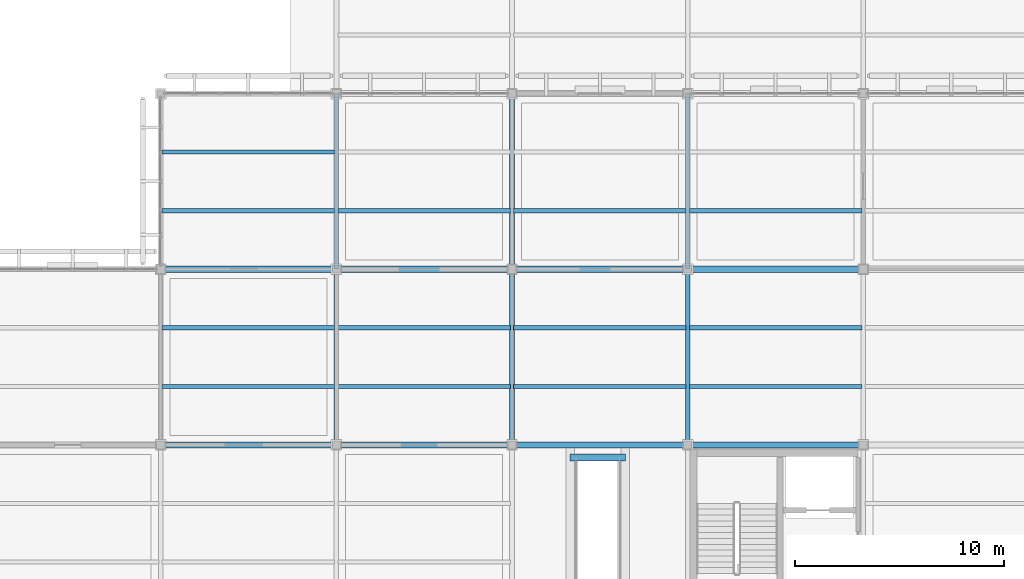
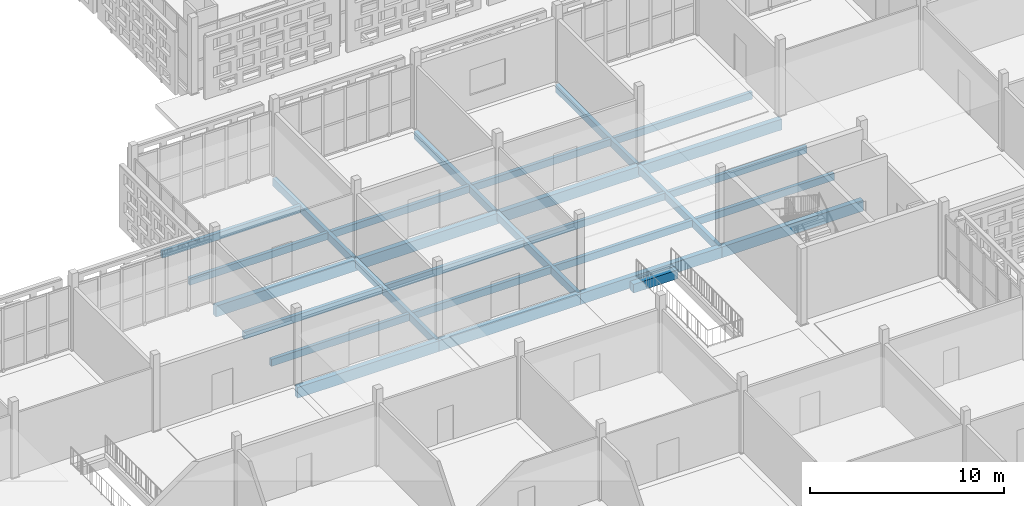
# One storey, part 71 of 203: 28 beams.
"""IFC4 building model written with IfcOpenShell, lengths in metres."""

import ifcopenshell
import ifcopenshell.guid

model = None  # the IFC model being written
_history = None  # IfcOwnerHistory: only IFC2X3 demands one
_inside = {}  # id of a spatial element -> (the spatial element, [elements in it])
_under = {}  # id of a project, library or spatial element -> (it, [spatial elements below it])
_declared = {}  # id of a project -> (the project, [libraries it declares])
_typed = {}  # id of a type object -> (the type object, [elements of that type])
_made_of = {}  # id of a material, layer set ... -> (it, [elements and type objects made of it])


def new_model(schema):
    """Start an empty IFC model of exactly this schema.

    Asked for "IFC4X3", IfcOpenShell would pick the latest addendum, in which some entities
    have other attributes; the version numbers below select the first issue.
    IFC2X3 requires an IfcOwnerHistory on every rooted entity: one is made here for all.
    """
    global model, _history
    if schema == "IFC4X3":
        model = ifcopenshell.file(schema_version=(4, 3, 0, 0))
    else:
        model = ifcopenshell.file(schema=schema)
    _inside.clear()
    _under.clear()
    _declared.clear()
    _typed.clear()
    _made_of.clear()
    _history = None
    if model.schema == "IFC2X3":
        org = make("IfcOrganization", Name="unknown")
        user = make(
            "IfcPersonAndOrganization",
            ThePerson=make("IfcPerson", FamilyName="unknown"),
            TheOrganization=org,
        )
        app = make(
            "IfcApplication",
            ApplicationDeveloper=org,
            Version="unknown",
            ApplicationFullName="unknown",
            ApplicationIdentifier="unknown",
        )
        _history = make(
            "IfcOwnerHistory",
            OwningUser=user,
            OwningApplication=app,
            ChangeAction="ADDED",
            CreationDate=0,
        )
    return model


def make(cls, **values):
    """One entity of the class cls with the attributes given. An attribute that is None is left unset."""
    return model.create_entity(
        cls, **{name: value for name, value in values.items() if value is not None}
    )


def rooted(cls, **values):
    """An entity with a GlobalId (a new one), such as an element, a storey or a relation."""
    return make(cls, GlobalId=ifcopenshell.guid.new(), OwnerHistory=_history, **values)


def si_unit(unit_type, name, prefix=None):
    """IfcSIUnit, for example si_unit("LENGTHUNIT", "METRE", prefix="MILLI")."""
    return make("IfcSIUnit", UnitType=unit_type, Prefix=prefix, Name=name)


def assignment(units):
    """IfcUnitAssignment: the units of a project."""
    return None if units is None else make("IfcUnitAssignment", Units=units)


def point(xyz):
    """IfcCartesianPoint."""
    return None if xyz is None else make("IfcCartesianPoint", Coordinates=xyz)


def direction(xyz):
    """IfcDirection."""
    return None if xyz is None else make("IfcDirection", DirectionRatios=xyz)


def frame(location, z_axis=None, x_axis=None):
    """IfcAxis2Placement3D, a coordinate frame: its origin and axes. An axis left out is left unset."""
    return make(
        "IfcAxis2Placement3D",
        Location=point(location),
        Axis=direction(z_axis),
        RefDirection=direction(x_axis),
    )


def frame_2d(location, x_axis=None):
    """IfcAxis2Placement2D, a coordinate frame in the plane: its origin and x axis."""
    return make(
        "IfcAxis2Placement2D", Location=point(location), RefDirection=direction(x_axis)
    )


def origin():
    """The frame at (0, 0, 0) with its axes left unset."""
    return frame((0.0, 0.0, 0.0))


def origin_2d():
    """The frame at (0, 0) in the plane with its x axis left unset."""
    return frame_2d((0.0, 0.0))


def place(relative_to, where):
    """IfcLocalPlacement: puts the frame where relative to a parent placement (None: the world)."""
    return make(
        "IfcLocalPlacement", PlacementRelTo=relative_to, RelativePlacement=where
    )


def context(
    kind, dimensions, precision=None, world=None, true_north=None, identifier=None
):
    """IfcGeometricRepresentationContext, for example the 3D "Model" context."""
    return make(
        "IfcGeometricRepresentationContext",
        ContextIdentifier=identifier,
        ContextType=kind,
        CoordinateSpaceDimension=dimensions,
        Precision=precision,
        WorldCoordinateSystem=world,
        TrueNorth=true_north,
    )


def subcontext(parent, identifier, kind, view, scale=None):
    """IfcGeometricRepresentationSubContext, for example "Body" below "Model"."""
    return make(
        "IfcGeometricRepresentationSubContext",
        ContextIdentifier=identifier,
        ContextType=kind,
        ParentContext=parent,
        TargetScale=scale,
        TargetView=view,
    )


def project(units=None, contexts=None):
    """IfcProject with its units and contexts."""
    return rooted(
        "IfcProject",
        Name="project",
        RepresentationContexts=contexts,
        UnitsInContext=assignment(units),
    )


def spatial(cls, under=None, at=None, **own):
    """A site, building, storey or space (cls), placed at a placement, below another one or the project."""
    s = rooted(cls, ObjectPlacement=at, **own)
    if under is not None:
        _under.setdefault(under.id(), (under, []))[1].append(s)
    return s


def profile(cls, at=None, kind="AREA", **sizes):
    """A parametric profile (cls). Its sizes go by their IFC names, for example OverallWidth=200.0."""
    return make(cls, ProfileType=kind, Position=at, **sizes)


def rectangle(**sizes):
    """IfcRectangleProfileDef."""
    return profile("IfcRectangleProfileDef", **sizes)


def extrude(swept, where, along, depth):
    """IfcExtrudedAreaSolid: the profile swept, set in the frame where, extruded along a direction by depth."""
    return make(
        "IfcExtrudedAreaSolid",
        SweptArea=swept,
        Position=where,
        ExtrudedDirection=direction(along),
        Depth=depth,
    )


def shape(context_of_items, identifier, shape_type, items):
    """IfcShapeRepresentation: the items that make up one representation, for example the "Body"."""
    return make(
        "IfcShapeRepresentation",
        ContextOfItems=context_of_items,
        RepresentationIdentifier=identifier,
        RepresentationType=shape_type,
        Items=items,
    )


def material(Name=None, Category=None):
    """IfcMaterial."""
    return make("IfcMaterial", Name=Name, Category=Category)


def material_profile(
    of_material, cross_section, Name=None, Category=None, Priority=None
):
    """IfcMaterialProfile: a cross section and its material."""
    return make(
        "IfcMaterialProfile",
        Name=Name,
        Material=of_material,
        Profile=cross_section,
        Priority=Priority,
        Category=Category,
    )


def profile_set(profiles, Name=None, composite=None):
    """IfcMaterialProfileSet."""
    return make(
        "IfcMaterialProfileSet",
        Name=Name,
        MaterialProfiles=profiles,
        CompositeProfile=composite,
    )


def made_of(thing, what):
    """Note that an element or type object is made of a material, layer set ...; save() writes the relation."""
    if what is not None:
        _made_of.setdefault(what.id(), (what, []))[1].append(thing)
    return thing


def type_object(cls, material=None, **own):
    """A type object (cls), such as IfcWallType, which elements share."""
    return made_of(rooted(cls, **own), material)


def element(
    cls,
    number,
    at=None,
    inside=None,
    cuts=None,
    type_object=None,
    material=None,
    context=None,
    identifier="Body",
    shape_type=None,
    held_by="IfcProductDefinitionShape",
    body=None,
    shapes=None,
    **own,
):
    """One element of the class cls, such as IfcWall. Its Tag is "e" and its number.

    at: its placement. inside: the storey or other place that contains it. cuts: it is an
    opening in that element (IfcRelVoidsElement). A single representation is given by context,
    identifier, shape_type and body (its items); several are given by shapes. held_by: the class
    of the entity that holds the representations. save() writes the other relations.
    """
    e = rooted(cls, Tag="e%d" % number, ObjectPlacement=at, **own)
    if body is not None:
        shapes = [shape(context, identifier, shape_type, body)]
    if shapes is not None:
        e.Representation = make(held_by, Representations=shapes)
    if inside is not None:
        _inside.setdefault(inside.id(), (inside, []))[1].append(e)
    if cuts is not None:
        rooted(
            "IfcRelVoidsElement", RelatingBuildingElement=cuts, RelatedOpeningElement=e
        )
    if type_object is not None:
        _typed.setdefault(type_object.id(), (type_object, []))[1].append(e)
    return made_of(e, material)


def aggregate(whole, parts):
    """IfcRelAggregates: a whole, such as a stair, and the parts it consists of."""
    return rooted("IfcRelAggregates", RelatingObject=whole, RelatedObjects=parts)


def save(model, path):
    """Write the relations noted so far, then the file.

    IfcRelAggregates (storeys below a building ...), IfcRelContainedInSpatialStructure (elements
    in a storey), IfcRelDefinesByType, IfcRelAssociatesMaterial and IfcRelDeclares: one each for
    every whole, place, type object, material and project.
    """
    for whole, parts in _under.values():
        aggregate(whole, parts)
    for where, things in _inside.values():
        rooted(
            "IfcRelContainedInSpatialStructure",
            RelatedElements=things,
            RelatingStructure=where,
        )
    for kind, things in _typed.values():
        rooted("IfcRelDefinesByType", RelatedObjects=things, RelatingType=kind)
    for what, things in _made_of.values():
        rooted("IfcRelAssociatesMaterial", RelatedObjects=things, RelatingMaterial=what)
    for by, libraries in _declared.values():
        rooted("IfcRelDeclares", RelatingContext=by, RelatedDefinitions=libraries)
    model.write(path)


model = new_model("IFC4")

# Units and contexts
model_context = context("Model", 3, precision=1e-05, world=origin(), true_north=direction((0.0, 1.0)))
body_context = subcontext(model_context, "Body", "Model", "MODEL_VIEW")
ifc_project = project(units=[si_unit("LENGTHUNIT", "METRE"), si_unit("AREAUNIT", "SQUARE_METRE"), si_unit("VOLUMEUNIT", "CUBIC_METRE"), si_unit("PLANEANGLEUNIT", "RADIAN"), si_unit("MASSUNIT", "GRAM", prefix="KILO")], contexts=[model_context])

# Site, building, storey
site_placement = place(None, origin())
site = spatial("IfcSite", under=ifc_project, at=site_placement, CompositionType="ELEMENT")
building_placement = place(site_placement, origin())
building = spatial("IfcBuilding", under=site, at=building_placement, Name="Varnapada Polytechnic", CompositionType="ELEMENT")
storey_placement = place(building_placement, frame((0.0, 0.0, 4.800048828125)))
storey = spatial("IfcBuildingStorey", under=building, at=storey_placement, Name="L01", CompositionType="ELEMENT", Elevation=4.800048828125)

# Beams
ifc_material_1 = material(Name="Concrete C40/50", Category="concrete")
ifc_material_profile_1 = material_profile(ifc_material_1, rectangle(XDim=0.35009765625, YDim=0.550048828125, at=origin_2d()), Name="RC 350x550")
ifc_profile_set_1 = profile_set([ifc_material_profile_1], Name="Concrete C40/50")
beam_type_1 = type_object("IfcBeamType", Name="Concrete podium spandrel beam SP-01 (RC 350x550)", PredefinedType="SPANDREL", material=ifc_profile_set_1)
beam_placement = place(storey_placement, frame((145.580078125, 33.0, -0.53515625), z_axis=(1.0, 0.0, 0.0), x_axis=(0.0, 1.0, 0.0)))
element("IfcBeam", 1, at=beam_placement, inside=storey, type_object=beam_type_1, Name="L01 feature stair ST-F2 arrival beam", PredefinedType="SPANDREL", context=body_context, shape_type="SweptSolid", body=[
    extrude(rectangle(XDim=0.35009765625, YDim=0.550048828125, at=origin_2d()), origin(), (0.0, 0.0, 1.0), 2.639892578125),
])
ifc_material_2 = material(Name="Glulam GL32h", Category="wood")
ifc_material_profile_2 = material_profile(ifc_material_2, rectangle(XDim=0.199951171875, YDim=0.43994140625, at=origin_2d()), Name="GL 200x440")
ifc_profile_set_2 = profile_set([ifc_material_profile_2], Name="Glulam GL32h")
beam_type_2 = type_object("IfcBeamType", Name="Heavy laboratory glulam joist GJ-03 (GL 200x440)", PredefinedType="JOIST", material=ifc_profile_set_2)
for number, where, z_axis, x_axis, name in (
    (2, (126.080078125, 36.39990234375, -0.469970703125), (1.0, 0.0, 0.0), (0.0, 1.0, 0.0), "L01 floor joist 16/5.1"),
    (3, (126.080078125, 39.199951171875, -0.469970703125), (1.0, 0.0, 0.0), (0.0, 1.0, 0.0), "L01 floor joist 16/5.2"),
    (4, (126.080078125, 44.800048828125, -0.469970703125), (1.0, 0.0, 0.0), (0.0, 1.0, 0.0), "L01 floor joist 16/6.1"),
    (5, (126.080078125, 47.60009765625, -0.469970703125), (1.0, 0.0, 0.0), (0.0, 1.0, 0.0), "L01 floor joist 16/6.2"),
    (6, (134.47998046875, 36.39990234375, -0.469970703125), (1.0, 0.0, 0.0), (0.0, 1.0, 0.0), "L01 floor joist 17/5.1"),
    (7, (134.47998046875, 39.199951171875, -0.469970703125), (1.0, 0.0, 0.0), (0.0, 1.0, 0.0), "L01 floor joist 17/5.2"),
    (8, (134.47998046875, 44.800048828125, -0.469970703125), (1.0, 0.0, 0.0), (0.0, 1.0, 0.0), "L01 floor joist 17/6.1"),
):
    element("IfcBeam", number, at=place(storey_placement, frame(where, z_axis=z_axis, x_axis=x_axis)), inside=storey, type_object=beam_type_2, Name=name, PredefinedType="JOIST", context=body_context, shape_type="SweptSolid", body=[
        extrude(rectangle(XDim=0.199951171875, YDim=0.43994140625, at=origin_2d()), origin(), (0.0, 0.0, 1.0), 8.239990234375),
    ])
for number, where, z_axis, x_axis, name in (
    (9, (142.8798828125, 36.39990234375, -0.469970703125), (1.0, 0.0, 0.0), (0.0, 1.0, 0.0), "L01 floor joist 18/5.1"),
    (10, (142.8798828125, 39.199951171875, -0.469970703125), (1.0, 0.0, 0.0), (0.0, 1.0, 0.0), "L01 floor joist 18/5.2"),
    (11, (142.8798828125, 44.800048828125, -0.469970703125), (1.0, 0.0, 0.0), (0.0, 1.0, 0.0), "L01 floor joist 18/6.1"),
):
    element("IfcBeam", number, at=place(storey_placement, frame(where, z_axis=z_axis, x_axis=x_axis)), inside=storey, type_object=beam_type_2, Name=name, PredefinedType="JOIST", context=body_context, shape_type="SweptSolid", body=[
        extrude(rectangle(XDim=0.199951171875, YDim=0.43994140625, at=origin_2d()), origin(), (0.0, 0.0, 1.0), 8.240234375),
    ])
for number, where, z_axis, x_axis, name in (
    (12, (151.280029296875, 36.39990234375, -0.469970703125), (1.0, 0.0, 0.0), (0.0, 1.0, 0.0), "L01 floor joist 19/5.1"),
    (13, (151.280029296875, 39.199951171875, -0.469970703125), (1.0, 0.0, 0.0), (0.0, 1.0, 0.0), "L01 floor joist 19/5.2"),
    (14, (151.280029296875, 44.800048828125, -0.469970703125), (1.0, 0.0, 0.0), (0.0, 1.0, 0.0), "L01 floor joist 19/6.1"),
):
    element("IfcBeam", number, at=place(storey_placement, frame(where, z_axis=z_axis, x_axis=x_axis)), inside=storey, type_object=beam_type_2, Name=name, PredefinedType="JOIST", context=body_context, shape_type="SweptSolid", body=[
        extrude(rectangle(XDim=0.199951171875, YDim=0.43994140625, at=origin_2d()), origin(), (0.0, 0.0, 1.0), 8.239990234375),
    ])
ifc_material_profile_3 = material_profile(ifc_material_2, rectangle(XDim=0.219970703125, YDim=0.47998046875, at=origin_2d()), Name="GL 220x480")
ifc_profile_set_3 = profile_set([ifc_material_profile_3], Name="Glulam GL32h")
beam_type_3 = type_object("IfcBeamType", Name="Upper floor glulam tie beam GB-11 (GL 220x480)", PredefinedType="BEAM", material=ifc_profile_set_3)
for number, where, z_axis, x_axis, name in (
    (15, (134.39990234375, 33.60009765625, -0.489990234375), (0.0, 1.0, 0.0), (-1.0, 0.0, 0.0), "L01 beam Y 5-6 at X17"),
    (16, (134.39990234375, 42.0, -0.510009765625), (0.0, 1.0, 0.0), (-1.0, 0.0, 0.0), "L01 beam Y 6-7 at X17"),
    (17, (142.800048828125, 33.60009765625, -0.489990234375), (0.0, 1.0, 0.0), (-1.0, 0.0, 0.0), "L01 beam Y 5-6 at X18"),
    (18, (142.800048828125, 42.0, -0.510009765625), (0.0, 1.0, 0.0), (-1.0, 0.0, 0.0), "L01 beam Y 6-7 at X18"),
    (19, (151.199951171875, 33.60009765625, -0.489990234375), (0.0, 1.0, 0.0), (-1.0, 0.0, 0.0), "L01 beam Y 5-6 at X19"),
    (20, (151.199951171875, 42.0, -0.510009765625), (0.0, 1.0, 0.0), (-1.0, 0.0, 0.0), "L01 beam Y 6-7 at X19"),
):
    element("IfcBeam", number, at=place(storey_placement, frame(where, z_axis=z_axis, x_axis=x_axis)), inside=storey, type_object=beam_type_3, Name=name, PredefinedType="BEAM", context=body_context, shape_type="SweptSolid", body=[
        extrude(rectangle(XDim=0.219970703125, YDim=0.47998046875, at=origin_2d()), origin(), (0.0, 0.0, 1.0), 8.39990234375),
    ])
ifc_material_profile_4 = material_profile(ifc_material_2, rectangle(XDim=0.300048828125, YDim=0.679931640625, at=origin_2d()), Name="GL 300x680")
ifc_profile_set_4 = profile_set([ifc_material_profile_4], Name="Glulam GL32h")
beam_type_4 = type_object("IfcBeamType", Name="Wet laboratory glulam girder GG-04 (GL 300x680)", PredefinedType="BEAM", material=ifc_profile_set_4)
for number, where, z_axis, x_axis, name in (
    (21, (126.0, 33.60009765625, -0.590087890625), (1.0, 0.0, 0.0), (0.0, 1.0, 0.0), "L01 beam X 16-17 at Y5"),
    (22, (126.0, 42.0, -0.590087890625), (1.0, 0.0, 0.0), (0.0, 1.0, 0.0), "L01 beam X 16-17 at Y6"),
):
    element("IfcBeam", number, at=place(storey_placement, frame(where, z_axis=z_axis, x_axis=x_axis)), inside=storey, type_object=beam_type_4, Name=name, PredefinedType="BEAM", context=body_context, shape_type="SweptSolid", body=[
        extrude(rectangle(XDim=0.300048828125, YDim=0.679931640625, at=origin_2d()), origin(), (0.0, 0.0, 1.0), 8.39990234375),
    ])
for number, where, z_axis, x_axis, name in (
    (23, (134.39990234375, 33.60009765625, -0.590087890625), (1.0, 0.0, 0.0), (0.0, 1.0, 0.0), "L01 beam X 17-18 at Y5"),
    (24, (134.39990234375, 42.0, -0.590087890625), (1.0, 0.0, 0.0), (0.0, 1.0, 0.0), "L01 beam X 17-18 at Y6"),
):
    element("IfcBeam", number, at=place(storey_placement, frame(where, z_axis=z_axis, x_axis=x_axis)), inside=storey, type_object=beam_type_4, Name=name, PredefinedType="BEAM", context=body_context, shape_type="SweptSolid", body=[
        extrude(rectangle(XDim=0.300048828125, YDim=0.679931640625, at=origin_2d()), origin(), (0.0, 0.0, 1.0), 8.400146484375),
    ])
for number, where, z_axis, x_axis, name in (
    (25, (142.800048828125, 33.60009765625, -0.590087890625), (1.0, 0.0, 0.0), (0.0, 1.0, 0.0), "L01 beam X 18-19 at Y5"),
    (26, (142.800048828125, 42.0, -0.590087890625), (1.0, 0.0, 0.0), (0.0, 1.0, 0.0), "L01 beam X 18-19 at Y6"),
):
    element("IfcBeam", number, at=place(storey_placement, frame(where, z_axis=z_axis, x_axis=x_axis)), inside=storey, type_object=beam_type_4, Name=name, PredefinedType="BEAM", context=body_context, shape_type="SweptSolid", body=[
        extrude(rectangle(XDim=0.300048828125, YDim=0.679931640625, at=origin_2d()), origin(), (0.0, 0.0, 1.0), 8.39990234375),
    ])
for number, where, z_axis, x_axis, name in (
    (27, (151.199951171875, 33.60009765625, -0.590087890625), (1.0, 0.0, 0.0), (0.0, 1.0, 0.0), "L01 beam X 19-20 at Y5"),
    (28, (151.199951171875, 42.0, -0.590087890625), (1.0, 0.0, 0.0), (0.0, 1.0, 0.0), "L01 beam X 19-20 at Y6"),
):
    element("IfcBeam", number, at=place(storey_placement, frame(where, z_axis=z_axis, x_axis=x_axis)), inside=storey, type_object=beam_type_4, Name=name, PredefinedType="BEAM", context=body_context, shape_type="SweptSolid", body=[
        extrude(rectangle(XDim=0.300048828125, YDim=0.679931640625, at=origin_2d()), origin(), (0.0, 0.0, 1.0), 8.400146484375),
    ])

save(model, "model.ifc")
